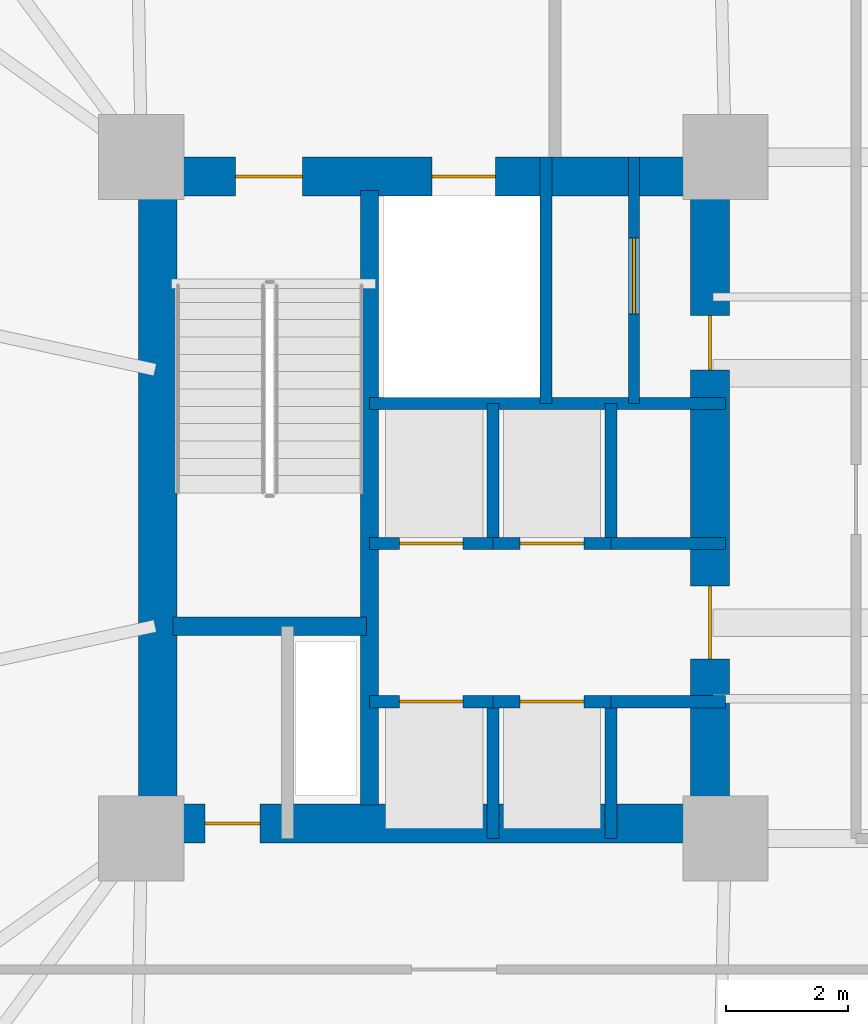
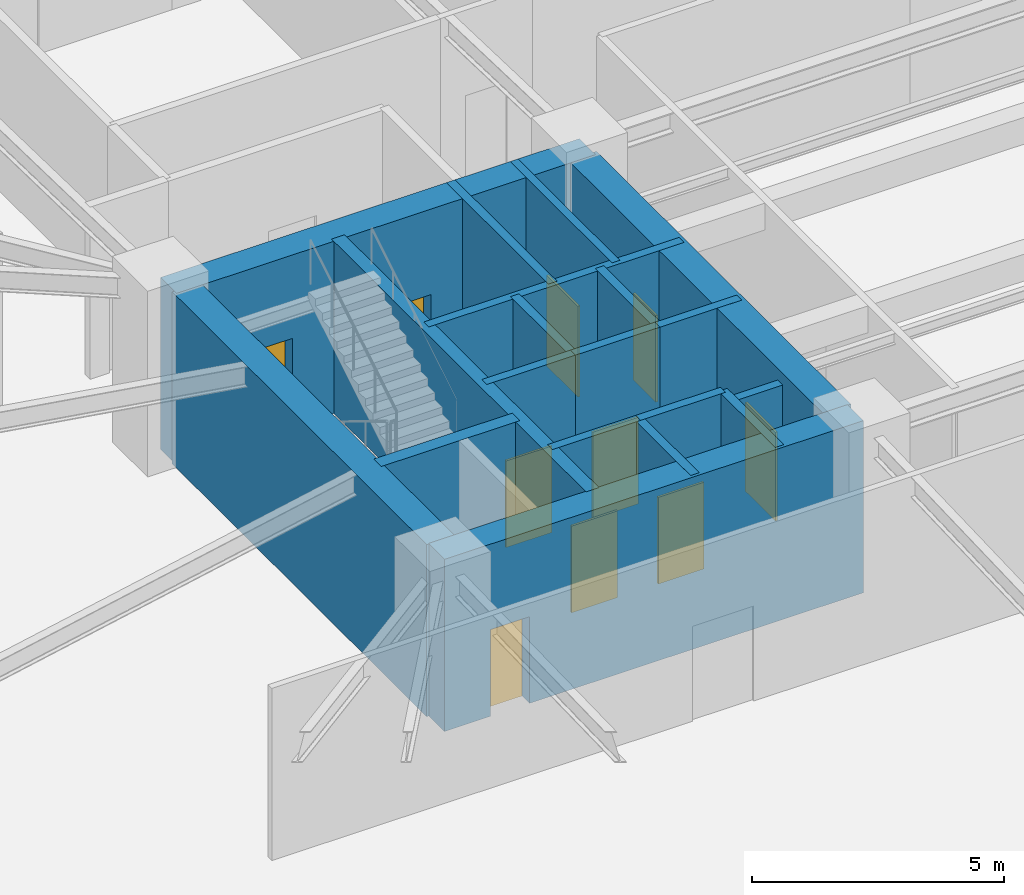
# One storey, part 8 of 18: 19 walls, 10 doors, 10 openings.
"""IFC4 building model written with IfcOpenShell, lengths in metres."""

from ifc_helpers import new_model, si_unit, direction, frame, frame_2d, origin, place, context, subcontext, project, spatial, rectangle, extrude, material, layer, layer_set, type_object, element, fill, save


model = new_model("IFC4")

# Units and contexts
model_context = context("Model", 3, precision=1e-05, world=origin(), true_north=direction((0.0, 1.0)))
body_context = subcontext(model_context, "Body", "Model", "MODEL_VIEW")
ifc_project = project(units=[si_unit("LENGTHUNIT", "METRE"), si_unit("AREAUNIT", "SQUARE_METRE"), si_unit("VOLUMEUNIT", "CUBIC_METRE"), si_unit("PLANEANGLEUNIT", "RADIAN"), si_unit("MASSUNIT", "GRAM", prefix="KILO")], contexts=[model_context])

# Site, building, storey
site_placement = place(None, origin())
site = spatial("IfcSite", under=ifc_project, at=site_placement, CompositionType="ELEMENT")
building_placement = place(site_placement, origin())
building = spatial("IfcBuilding", under=site, at=building_placement, Name="Qobustan Lattice House", CompositionType="ELEMENT")
storey_placement = place(building_placement, origin())
storey = spatial("IfcBuildingStorey", under=building, at=storey_placement, Name="L00", CompositionType="ELEMENT", Elevation=0.0)

# Wall, openings, doors
ifc_material_1 = material(Name="Concrete C60/75", Category="concrete")
ifc_layer_1 = layer(ifc_material_1, 0.639892578125)
ifc_layer_set_1 = layer_set([ifc_layer_1], Name="Concrete C60/75")
wall_type_1 = type_object("IfcWallType", Name="WAL-CORE-640", PredefinedType="SHEAR", material=ifc_layer_set_1)
wall_1_placement = place(storey_placement, frame((-18.800048828125, 5.280029296875, 0.0), z_axis=(0.0, 0.0, 1.0), x_axis=(1.0, 0.0, 0.0)))
wall_1 = element("IfcWall", 1, at=wall_1_placement, inside=storey, type_object=wall_type_1, Name="L00 split-core shear wall CW-N", PredefinedType="SHEAR", context=body_context, shape_type="SweptSolid", body=[
    extrude(rectangle(XDim=9.60009765625, YDim=0.639892578125, at=frame_2d((4.800048828125, 0.0))), origin(), (0.0, 0.0, 1.0), 4.169921875),
])
opening_1_placement = place(wall_1_placement, frame((1.550048828125, 0.0, 0.0)))
opening_1 = element("IfcOpeningElement", 2, at=opening_1_placement, cuts=wall_1, Name="Opening SD-01", PredefinedType="OPENING", context=body_context, shape_type="SweptSolid", body=[
    extrude(rectangle(XDim=1.10009765625, YDim=2.14990234375, at=frame_2d((0.550048828125, 1.074951171875))), frame((0.0, 0.329833984375, 0.0), z_axis=(0.0, -1.0, 0.0), x_axis=(1.0, 0.0, 0.0)), (0.0, 0.0, 1.0), 0.659912109375),
])
opening_2_placement = place(wall_1_placement, frame((4.77490234375, 0.0, 0.0)))
opening_2 = element("IfcOpeningElement", 3, at=opening_2_placement, cuts=wall_1, Name="Opening LD-01", PredefinedType="OPENING", context=body_context, shape_type="SweptSolid", body=[
    extrude(rectangle(XDim=1.050048828125, YDim=2.10009765625, at=frame_2d((0.52490234375, 1.050048828125))), frame((0.0, 0.329833984375, 0.0), z_axis=(0.0, -1.0, 0.0), x_axis=(1.0, 0.0, 0.0)), (0.0, 0.0, 1.0), 0.659912109375),
])
ifc_material_2 = material(Name="Persian walnut timber and steel frame door", Category="steel")
door_type_1 = type_object("IfcDoorType", Name="DOR-LIFT-LD-1050x2100", OperationType="NOTDEFINED", PredefinedType="DOOR", material=ifc_material_2)
door_1_placement = place(opening_2_placement, origin())
door_1 = element("IfcDoor", 4, at=door_1_placement, inside=storey, type_object=door_type_1, Name="L00 firefighting lift FF-W landing door", OperationType="DOUBLE_DOOR_SLIDING", OverallHeight=2.10009765625, OverallWidth=1.050048828125, PredefinedType="DOOR", context=body_context, shape_type="SweptSolid", body=[
    extrude(rectangle(XDim=1.050048828125, YDim=2.10009765625, at=frame_2d((0.52490234375, 1.050048828125))), frame((0.0, 0.02490234375, 0.0), z_axis=(0.0, -1.0, 0.0), x_axis=(1.0, 0.0, 0.0)), (0.0, 0.0, 1.0), 0.050048828125),
])
fill(opening_2, door_1)
ifc_material_3 = material(Name="Persian walnut timber and steel frame door", Category="steel")
door_type_2 = type_object("IfcDoorType", Name="DOR-STAIR-FD-1100x2150", OperationType="NOTDEFINED", PredefinedType="DOOR", material=ifc_material_3)
door_2_placement = place(opening_1_placement, origin())
door_2 = element("IfcDoor", 5, at=door_2_placement, inside=storey, type_object=door_type_2, Name="L00 exit stair ST-W1 fire door", OperationType="SINGLE_SWING_LEFT", OverallHeight=2.14990234375, OverallWidth=1.10009765625, PredefinedType="DOOR", context=body_context, shape_type="SweptSolid", body=[
    extrude(rectangle(XDim=1.10009765625, YDim=2.14990234375, at=frame_2d((0.550048828125, 1.074951171875))), frame((0.0, 0.02490234375, 0.0), z_axis=(0.0, -1.0, 0.0), x_axis=(1.0, 0.0, 0.0)), (0.0, 0.0, 1.0), 0.050048828125),
])
fill(opening_1, door_2)

# Wall, opening, door
wall_2_placement = place(storey_placement, frame((-18.800048828125, -5.35009765625, 0.0), z_axis=(0.0, 0.0, 1.0), x_axis=(1.0, 0.0, 0.0)))
wall_2 = element("IfcWall", 6, at=wall_2_placement, inside=storey, type_object=wall_type_1, Name="L00 split-core shear wall CW-S", PredefinedType="SHEAR", context=body_context, shape_type="SweptSolid", body=[
    extrude(rectangle(XDim=9.60009765625, YDim=0.639892578125, at=frame_2d((4.800048828125, 0.0))), origin(), (0.0, 0.0, 1.0), 4.169921875),
])
opening_3_placement = place(wall_2_placement, frame((1.050048828125, 0.0, 0.0)))
opening_3 = element("IfcOpeningElement", 7, at=opening_3_placement, cuts=wall_2, Name="Opening RD-01", PredefinedType="OPENING", context=body_context, shape_type="SweptSolid", body=[
    extrude(rectangle(XDim=0.89990234375, YDim=2.10009765625, at=frame_2d((0.449951171875, 1.050048828125))), frame((0.0, 0.329833984375, 0.0), z_axis=(0.0, -1.0, 0.0), x_axis=(1.0, 0.0, 0.0)), (0.0, 0.0, 1.0), 0.659912109375),
])
ifc_material_4 = material(Name="Persian walnut timber and steel frame door", Category="steel")
door_type_3 = type_object("IfcDoorType", Name="DOR-RISER-FD-900x2100", OperationType="NOTDEFINED", PredefinedType="DOOR", material=ifc_material_4)
door_3_placement = place(opening_3_placement, origin())
door_3 = element("IfcDoor", 8, at=door_3_placement, inside=storey, type_object=door_type_3, Name="L00 core service riser access door W", OperationType="SINGLE_SWING_LEFT", OverallHeight=2.10009765625, OverallWidth=0.89990234375, PredefinedType="DOOR", context=body_context, shape_type="SweptSolid", body=[
    extrude(rectangle(XDim=0.89990234375, YDim=2.10009765625, at=frame_2d((0.449951171875, 1.050048828125))), frame((0.0, 0.02490234375, 0.0), z_axis=(0.0, -1.0, 0.0), x_axis=(1.0, 0.0, 0.0)), (0.0, 0.0, 1.0), 0.050048828125),
])
fill(opening_3, door_3)

# Wall
wall_3_placement = place(storey_placement, frame((-18.530029296875, -5.050048828125, 0.0), z_axis=(0.0, 0.0, 1.0), x_axis=(0.0, 1.0, 0.0)))
element("IfcWall", 9, at=wall_3_placement, inside=storey, type_object=wall_type_1, Name="L00 split-core shear wall CW-W", PredefinedType="SHEAR", context=body_context, shape_type="SweptSolid", body=[
    extrude(rectangle(XDim=10.10009765625, YDim=0.639892578125, at=frame_2d((5.050048828125, 0.0))), origin(), (0.0, 0.0, 1.0), 4.169921875),
])

# Wall, openings, doors
wall_4_placement = place(storey_placement, frame((-9.449951171875, -5.050048828125, 0.0), z_axis=(0.0, 0.0, 1.0), x_axis=(0.0, 1.0, 0.0)))
wall_4 = element("IfcWall", 10, at=wall_4_placement, inside=storey, type_object=wall_type_1, Name="L00 split-core shear wall CW-E", PredefinedType="SHEAR", context=body_context, shape_type="SweptSolid", body=[
    extrude(rectangle(XDim=10.10009765625, YDim=0.639892578125, at=frame_2d((5.050048828125, 0.0))), origin(), (0.0, 0.0, 1.0), 4.169921875),
])
opening_4_placement = place(wall_4_placement, frame((7.14990234375, 0.0, 0.0)))
opening_4 = element("IfcOpeningElement", 11, at=opening_4_placement, cuts=wall_4, Name="Opening RD-01", PredefinedType="OPENING", context=body_context, shape_type="SweptSolid", body=[
    extrude(rectangle(XDim=0.89990234375, YDim=2.10009765625, at=frame_2d((0.449951171875, 1.050048828125))), frame((0.0, 0.329833984375, 0.0), z_axis=(0.0, -1.0, 0.0), x_axis=(1.0, 0.0, 0.0)), (0.0, 0.0, 1.0), 0.659912109375),
])
opening_5_placement = place(wall_4_placement, frame((2.39990234375, 0.0, 0.0)))
opening_5 = element("IfcOpeningElement", 12, at=opening_5_placement, cuts=wall_4, Name="Opening FD-01", PredefinedType="OPENING", context=body_context, shape_type="SweptSolid", body=[
    extrude(rectangle(XDim=1.199951171875, YDim=2.14990234375, at=frame_2d((0.60009765625, 1.074951171875))), frame((0.0, 0.329833984375, 0.0), z_axis=(0.0, -1.0, 0.0), x_axis=(1.0, 0.0, 0.0)), (0.0, 0.0, 1.0), 0.659912109375),
])
ifc_material_5 = material(Name="Persian walnut timber and steel frame door", Category="steel")
door_type_4 = type_object("IfcDoorType", Name="DOR-LOBBY-FD-1200x2150", OperationType="NOTDEFINED", PredefinedType="DOOR", material=ifc_material_5)
door_4_placement = place(opening_5_placement, origin())
door_4 = element("IfcDoor", 13, at=door_4_placement, inside=storey, type_object=door_type_4, Name="L00 West passenger lift lobby fire door", OperationType="SINGLE_SWING_RIGHT", OverallHeight=2.14990234375, OverallWidth=1.199951171875, PredefinedType="DOOR", context=body_context, shape_type="SweptSolid", body=[
    extrude(rectangle(XDim=1.199951171875, YDim=2.14990234375, at=frame_2d((0.60009765625, 1.074951171875))), frame((0.0, 0.02490234375, 0.0), z_axis=(0.0, -1.0, 0.0), x_axis=(1.0, 0.0, 0.0)), (0.0, 0.0, 1.0), 0.050048828125),
])
fill(opening_5, door_4)
door_5_placement = place(opening_4_placement, origin())
door_5 = element("IfcDoor", 14, at=door_5_placement, inside=storey, type_object=door_type_3, Name="L00 Data comms closet fire door", OperationType="SINGLE_SWING_LEFT", OverallHeight=2.10009765625, OverallWidth=0.89990234375, PredefinedType="DOOR", context=body_context, shape_type="SweptSolid", body=[
    extrude(rectangle(XDim=0.89990234375, YDim=2.10009765625, at=frame_2d((0.449951171875, 1.050048828125))), frame((0.0, 0.02490234375, 0.0), z_axis=(0.0, -1.0, 0.0), x_axis=(1.0, 0.0, 0.0)), (0.0, 0.0, 1.0), 0.050048828125),
])
fill(opening_4, door_5)

# Walls
ifc_material_6 = material(Name="Concrete C50/60", Category="concrete")
ifc_layer_2 = layer(ifc_material_6, 0.280029296875)
ifc_layer_set_2 = layer_set([ifc_layer_2], Name="Concrete C50/60")
wall_type_2 = type_object("IfcWallType", Name="WAL-CORE-SPINE-280", PredefinedType="SHEAR", material=ifc_layer_set_2)
wall_5_placement = place(storey_placement, frame((-15.050048828125, -5.050048828125, 0.0), z_axis=(0.0, 0.0, 1.0), x_axis=(0.0, 1.0, 0.0)))
element("IfcWall", 15, at=wall_5_placement, inside=storey, type_object=wall_type_2, Name="L00 split-core shear wall CW-M", PredefinedType="SHEAR", context=body_context, shape_type="SweptSolid", body=[
    extrude(rectangle(XDim=10.10009765625, YDim=0.300048828125, at=frame_2d((5.050048828125, 0.0))), origin(), (0.0, 0.0, 1.0), 4.169921875),
])
wall_6_placement = place(storey_placement, frame((-18.280029296875, -2.110107421875, 0.0), z_axis=(0.0, 0.0, 1.0), x_axis=(1.0, 0.0, 0.0)))
element("IfcWall", 16, at=wall_6_placement, inside=storey, type_object=wall_type_2, Name="L00 split-core shear wall CW-ST", PredefinedType="SHEAR", context=body_context, shape_type="SweptSolid", body=[
    extrude(rectangle(XDim=3.179931640625, YDim=0.300048828125, at=frame_2d((1.58984375, 0.0))), origin(), (0.0, 0.0, 1.0), 4.169921875),
])

# Wall, opening, door
ifc_material_7 = material(Name="Gypsum fireboard acoustic partition", Category="gypsum")
ifc_layer_3 = layer(ifc_material_7, 0.179931640625)
ifc_layer_set_3 = layer_set([ifc_layer_3], Name="Gypsum fireboard acoustic partition")
wall_type_3 = type_object("IfcWallType", Name="WAL-FIRE-180", PredefinedType="PARTITIONING", material=ifc_layer_set_3)
wall_7_placement = place(storey_placement, frame((-10.699951171875, 5.60009765625, 0.0), z_axis=(0.0, 0.0, 1.0), x_axis=(0.0, -1.0, 0.0)))
wall_7 = element("IfcWall", 17, at=wall_7_placement, inside=storey, type_object=wall_type_3, Name="L00 interior partition 6", PredefinedType="PARTITIONING", context=body_context, shape_type="SweptSolid", body=[
    extrude(rectangle(XDim=4.050048828125, YDim=0.179931640625, at=frame_2d((2.02490234375, 0.0))), origin(), (0.0, 0.0, 1.0), 4.169921875),
])
opening_6_placement = place(wall_7_placement, frame((1.324951171875, 0.0, 0.0)))
opening_6 = element("IfcOpeningElement", 18, at=opening_6_placement, cuts=wall_7, Name="Opening FD-03", PredefinedType="OPENING", context=body_context, shape_type="SweptSolid", body=[
    extrude(rectangle(XDim=1.25, YDim=2.199951171875, at=frame_2d((0.625, 1.10009765625))), frame((0.0, 0.099853515625, 0.0), z_axis=(0.0, -1.0, 0.0), x_axis=(1.0, 0.0, 0.0)), (0.0, 0.0, 1.0), 0.199951171875),
])
ifc_material_8 = material(Name="Persian walnut timber and steel frame door", Category="steel")
door_type_5 = type_object("IfcDoorType", Name="DOR-PLANT-1250x2200", OperationType="NOTDEFINED", PredefinedType="DOOR", material=ifc_material_8)
door_6_placement = place(opening_6_placement, origin())
door_6 = element("IfcDoor", 19, at=door_6_placement, inside=storey, type_object=door_type_5, Name="L00 Data comms closet to Linen store door", OperationType="SINGLE_SWING_RIGHT", OverallHeight=2.199951171875, OverallWidth=1.25, PredefinedType="DOOR", context=body_context, shape_type="SweptSolid", body=[
    extrude(rectangle(XDim=1.25, YDim=2.199951171875, at=frame_2d((0.625, 1.10009765625))), frame((0.0, 0.02490234375, 0.0), z_axis=(0.0, -1.0, 0.0), x_axis=(1.0, 0.0, 0.0)), (0.0, 0.0, 1.0), 0.050048828125),
])
fill(opening_6, door_6)

# Wall
ifc_material_9 = material(Name="Concrete C40/50", Category="concrete")
ifc_layer_4 = layer(ifc_material_9, 0.199951171875)
ifc_layer_set_4 = layer_set([ifc_layer_4], Name="Concrete C40/50")
wall_type_4 = type_object("IfcWallType", Name="WAL-SHAFT-200", PredefinedType="PARTITIONING", material=ifc_layer_set_4)
wall_8_placement = place(storey_placement, frame((-12.14990234375, 1.550048828125, 0.0), z_axis=(0.0, 0.0, 1.0), x_axis=(0.0, 1.0, 0.0)))
element("IfcWall", 20, at=wall_8_placement, inside=storey, type_object=wall_type_4, Name="L00 interior partition 2", PredefinedType="PARTITIONING", context=body_context, shape_type="SweptSolid", body=[
    extrude(rectangle(XDim=4.050048828125, YDim=0.199951171875, at=frame_2d((2.02490234375, 0.0))), origin(), (0.0, 0.0, 1.0), 4.169921875),
])

# Wall, opening, door
wall_9_placement = place(storey_placement, frame((-15.050048828125, -3.35009765625, 0.0), z_axis=(0.0, 0.0, 1.0), x_axis=(1.0, 0.0, 0.0)))
wall_9 = element("IfcWall", 21, at=wall_9_placement, inside=storey, type_object=wall_type_4, Name="L00 interior partition 8", PredefinedType="PARTITIONING", context=body_context, shape_type="SweptSolid", body=[
    extrude(rectangle(XDim=2.030029296875, YDim=0.199951171875, at=frame_2d((1.01513671875, 0.0))), origin(), (0.0, 0.0, 1.0), 4.169921875),
])
opening_7_placement = place(wall_9_placement, frame((0.489990234375, 0.0, 0.0)))
opening_7 = element("IfcOpeningElement", 22, at=opening_7_placement, cuts=wall_9, Name="Opening LD-01", PredefinedType="OPENING", context=body_context, shape_type="SweptSolid", body=[
    extrude(rectangle(XDim=1.050048828125, YDim=2.10009765625, at=frame_2d((0.52490234375, 1.050048828125))), frame((0.0, 0.10986328125, 0.0), z_axis=(0.0, -1.0, 0.0), x_axis=(1.0, 0.0, 0.0)), (0.0, 0.0, 1.0), 0.219970703125),
])
door_7_placement = place(opening_7_placement, origin())
door_7 = element("IfcDoor", 23, at=door_7_placement, inside=storey, type_object=door_type_1, Name="L00 lift landing door", OperationType="DOUBLE_DOOR_SLIDING", OverallHeight=2.10009765625, OverallWidth=1.050048828125, PredefinedType="DOOR", context=body_context, shape_type="SweptSolid", body=[
    extrude(rectangle(XDim=1.050048828125, YDim=2.10009765625, at=frame_2d((0.52490234375, 1.050048828125))), frame((0.0, 0.02490234375, 0.0), z_axis=(0.0, -1.0, 0.0), x_axis=(1.0, 0.0, 0.0)), (0.0, 0.0, 1.0), 0.050048828125),
])
fill(opening_7, door_7)

wall_10_placement = place(storey_placement, frame((-13.02001953125, -3.35009765625, 0.0), z_axis=(0.0, 0.0, 1.0), x_axis=(1.0, 0.0, 0.0)))
wall_10 = element("IfcWall", 24, at=wall_10_placement, inside=storey, type_object=wall_type_4, Name="L00 interior partition 9", PredefinedType="PARTITIONING", context=body_context, shape_type="SweptSolid", body=[
    extrude(rectangle(XDim=1.93994140625, YDim=0.199951171875, at=frame_2d((0.969970703125, 0.0))), origin(), (0.0, 0.0, 1.0), 4.169921875),
])
opening_8_placement = place(wall_10_placement, frame((0.445068359375, 0.0, 0.0)))
opening_8 = element("IfcOpeningElement", 25, at=opening_8_placement, cuts=wall_10, Name="Opening LD-01", PredefinedType="OPENING", context=body_context, shape_type="SweptSolid", body=[
    extrude(rectangle(XDim=1.050048828125, YDim=2.10009765625, at=frame_2d((0.52490234375, 1.050048828125))), frame((0.0, 0.10986328125, 0.0), z_axis=(0.0, -1.0, 0.0), x_axis=(1.0, 0.0, 0.0)), (0.0, 0.0, 1.0), 0.219970703125),
])
door_8_placement = place(opening_8_placement, origin())
door_8 = element("IfcDoor", 26, at=door_8_placement, inside=storey, type_object=door_type_1, Name="L00 lift landing door", OperationType="DOUBLE_DOOR_SLIDING", OverallHeight=2.10009765625, OverallWidth=1.050048828125, PredefinedType="DOOR", context=body_context, shape_type="SweptSolid", body=[
    extrude(rectangle(XDim=1.050048828125, YDim=2.10009765625, at=frame_2d((0.52490234375, 1.050048828125))), frame((0.0, 0.02490234375, 0.0), z_axis=(0.0, -1.0, 0.0), x_axis=(1.0, 0.0, 0.0)), (0.0, 0.0, 1.0), 0.050048828125),
])
fill(opening_8, door_8)

# Wall
wall_11_placement = place(storey_placement, frame((-11.080078125, -3.35009765625, 0.0), z_axis=(0.0, 0.0, 1.0), x_axis=(1.0, 0.0, 0.0)))
element("IfcWall", 27, at=wall_11_placement, inside=storey, type_object=wall_type_4, Name="L00 interior partition 10", PredefinedType="PARTITIONING", context=body_context, shape_type="SweptSolid", body=[
    extrude(rectangle(XDim=1.880126953125, YDim=0.199951171875, at=frame_2d((0.93994140625, 0.0))), origin(), (0.0, 0.0, 1.0), 3.885009765625),
])

# Wall, opening, door
wall_12_placement = place(storey_placement, frame((-13.02001953125, -0.75, 0.0), z_axis=(0.0, 0.0, 1.0), x_axis=(-1.0, 0.0, 0.0)))
wall_12 = element("IfcWall", 28, at=wall_12_placement, inside=storey, type_object=wall_type_4, Name="L00 interior partition 11", PredefinedType="PARTITIONING", context=body_context, shape_type="SweptSolid", body=[
    extrude(rectangle(XDim=2.030029296875, YDim=0.199951171875, at=frame_2d((1.01513671875, 0.0))), origin(), (0.0, 0.0, 1.0), 4.169921875),
])
opening_9_placement = place(wall_12_placement, frame((0.489990234375, 0.0, 0.0)))
opening_9 = element("IfcOpeningElement", 29, at=opening_9_placement, cuts=wall_12, Name="Opening LD-01", PredefinedType="OPENING", context=body_context, shape_type="SweptSolid", body=[
    extrude(rectangle(XDim=1.050048828125, YDim=2.10009765625, at=frame_2d((0.52490234375, 1.050048828125))), frame((0.0, 0.10986328125, 0.0), z_axis=(0.0, -1.0, 0.0), x_axis=(1.0, 0.0, 0.0)), (0.0, 0.0, 1.0), 0.219970703125),
])
door_9_placement = place(opening_9_placement, origin())
door_9 = element("IfcDoor", 30, at=door_9_placement, inside=storey, type_object=door_type_1, Name="L00 lift landing door", OperationType="DOUBLE_DOOR_SLIDING", OverallHeight=2.10009765625, OverallWidth=1.050048828125, PredefinedType="DOOR", context=body_context, shape_type="SweptSolid", body=[
    extrude(rectangle(XDim=1.050048828125, YDim=2.10009765625, at=frame_2d((0.52490234375, 1.050048828125))), frame((0.0, 0.02490234375, 0.0), z_axis=(0.0, -1.0, 0.0), x_axis=(1.0, 0.0, 0.0)), (0.0, 0.0, 1.0), 0.050048828125),
])
fill(opening_9, door_9)

wall_13_placement = place(storey_placement, frame((-11.080078125, -0.75, 0.0), z_axis=(0.0, 0.0, 1.0), x_axis=(-1.0, 0.0, 0.0)))
wall_13 = element("IfcWall", 31, at=wall_13_placement, inside=storey, type_object=wall_type_4, Name="L00 interior partition 12", PredefinedType="PARTITIONING", context=body_context, shape_type="SweptSolid", body=[
    extrude(rectangle(XDim=1.93994140625, YDim=0.199951171875, at=frame_2d((0.969970703125, 0.0))), origin(), (0.0, 0.0, 1.0), 4.169921875),
])
opening_10_placement = place(wall_13_placement, frame((0.445068359375, 0.0, 0.0)))
opening_10 = element("IfcOpeningElement", 32, at=opening_10_placement, cuts=wall_13, Name="Opening LD-01", PredefinedType="OPENING", context=body_context, shape_type="SweptSolid", body=[
    extrude(rectangle(XDim=1.050048828125, YDim=2.10009765625, at=frame_2d((0.52490234375, 1.050048828125))), frame((0.0, 0.10986328125, 0.0), z_axis=(0.0, -1.0, 0.0), x_axis=(1.0, 0.0, 0.0)), (0.0, 0.0, 1.0), 0.219970703125),
])
door_10_placement = place(opening_10_placement, origin())
door_10 = element("IfcDoor", 33, at=door_10_placement, inside=storey, type_object=door_type_1, Name="L00 lift landing door", OperationType="DOUBLE_DOOR_SLIDING", OverallHeight=2.10009765625, OverallWidth=1.050048828125, PredefinedType="DOOR", context=body_context, shape_type="SweptSolid", body=[
    extrude(rectangle(XDim=1.050048828125, YDim=2.10009765625, at=frame_2d((0.52490234375, 1.050048828125))), frame((0.0, 0.02490234375, 0.0), z_axis=(0.0, -1.0, 0.0), x_axis=(1.0, 0.0, 0.0)), (0.0, 0.0, 1.0), 0.050048828125),
])
fill(opening_10, door_10)

# Walls
wall_14_placement = place(storey_placement, frame((-9.199951171875, -0.75, 0.0), z_axis=(0.0, 0.0, 1.0), x_axis=(-1.0, 0.0, 0.0)))
element("IfcWall", 34, at=wall_14_placement, inside=storey, type_object=wall_type_4, Name="L00 interior partition 13", PredefinedType="PARTITIONING", context=body_context, shape_type="SweptSolid", body=[
    extrude(rectangle(XDim=1.880126953125, YDim=0.199951171875, at=frame_2d((0.93994140625, 0.0))), origin(), (0.0, 0.0, 1.0), 4.169921875),
])
for number, where, z_axis, x_axis, name in (
    (35, (-13.02001953125, -5.60009765625, 0.0), (0.0, 0.0, 1.0), (0.0, 1.0, 0.0), "L00 interior partition 15"),
    (36, (-11.080078125, -5.60009765625, 0.0), (0.0, 0.0, 1.0), (0.0, 1.0, 0.0), "L00 interior partition 16"),
):
    element("IfcWall", number, at=place(storey_placement, frame(where, z_axis=z_axis, x_axis=x_axis)), inside=storey, type_object=wall_type_4, Name=name, PredefinedType="PARTITIONING", context=body_context, shape_type="SweptSolid", body=[
        extrude(rectangle(XDim=2.25, YDim=0.199951171875, at=frame_2d((1.125, 0.0))), origin(), (0.0, 0.0, 1.0), 4.169921875),
    ])
for number, where, z_axis, x_axis, name in (
    (37, (-13.02001953125, -0.75, 0.0), (0.0, 0.0, 1.0), (0.0, 1.0, 0.0), "L00 interior partition 17"),
    (38, (-11.080078125, -0.75, 0.0), (0.0, 0.0, 1.0), (0.0, 1.0, 0.0), "L00 interior partition 18"),
):
    element("IfcWall", number, at=place(storey_placement, frame(where, z_axis=z_axis, x_axis=x_axis)), inside=storey, type_object=wall_type_4, Name=name, PredefinedType="PARTITIONING", context=body_context, shape_type="SweptSolid", body=[
        extrude(rectangle(XDim=2.300048828125, YDim=0.199951171875, at=frame_2d((1.14990234375, 0.0))), origin(), (0.0, 0.0, 1.0), 4.169921875),
    ])
wall_15_placement = place(storey_placement, frame((-15.050048828125, 1.550048828125, 0.0), z_axis=(0.0, 0.0, 1.0), x_axis=(1.0, 0.0, 0.0)))
element("IfcWall", 39, at=wall_15_placement, inside=storey, type_object=wall_type_4, Name="L00 interior partition 78", PredefinedType="PARTITIONING", context=body_context, shape_type="SweptSolid", body=[
    extrude(rectangle(XDim=5.85009765625, YDim=0.199951171875, at=frame_2d((2.925048828125, 0.0))), origin(), (0.0, 0.0, 1.0), 4.169921875),
])

save(model, "model.ifc")
